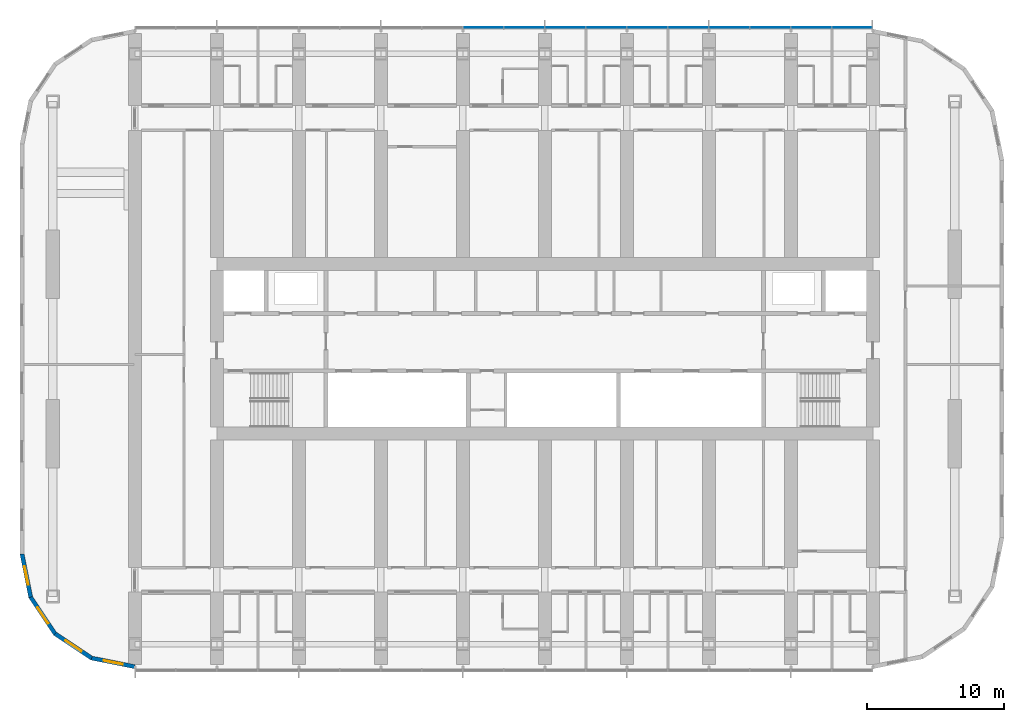
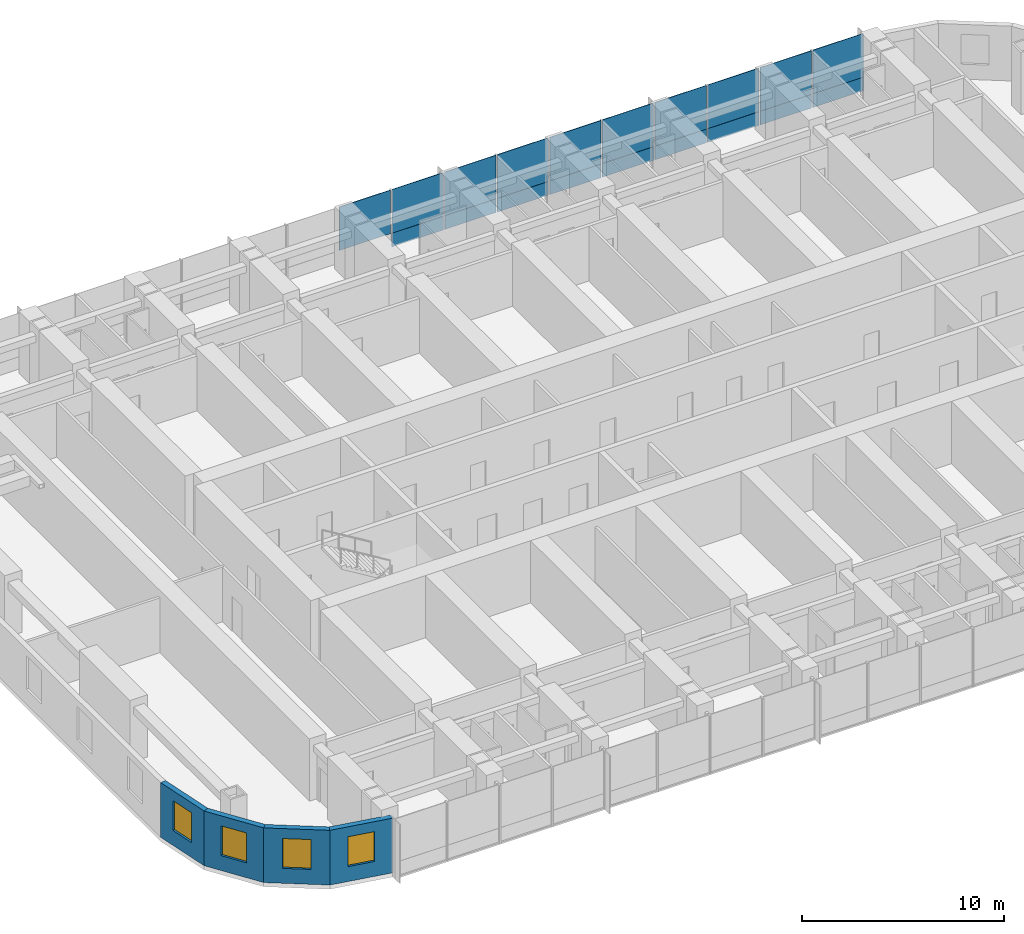
# One storey, part 7 of 21: 19 plates, 4 walls, 4 windows, 4 openings, 1 element without a shape of its own.
"""IFC4 building model written with IfcOpenShell, lengths in metres."""

from ifc_helpers import new_model, si_unit, direction, frame, frame_2d, origin, origin_2d, place, context, subcontext, project, spatial, polyline, rectangle, outline, extrude, material, layer, layer_set, type_object, element, fill, aggregate, save


model = new_model("IFC4")

# Units and contexts
model_context = context("Model", 3, precision=1e-05, world=origin(), true_north=direction((0.0, 1.0)))
body_context = subcontext(model_context, "Body", "Model", "MODEL_VIEW")
ifc_project = project(units=[si_unit("LENGTHUNIT", "METRE"), si_unit("AREAUNIT", "SQUARE_METRE"), si_unit("VOLUMEUNIT", "CUBIC_METRE"), si_unit("PLANEANGLEUNIT", "RADIAN"), si_unit("MASSUNIT", "GRAM", prefix="KILO")], contexts=[model_context])

# Site, building, storey
site_placement = place(None, origin())
site = spatial("IfcSite", under=ifc_project, at=site_placement, CompositionType="ELEMENT")
building_placement = place(site_placement, origin())
building = spatial("IfcBuilding", under=site, at=building_placement, Name="Orbita Commons", CompositionType="ELEMENT")
storey_placement = place(building_placement, frame((0.0, 0.0, 110.64990234375)))
storey = spatial("IfcBuildingStorey", under=building, at=storey_placement, Name="L27", CompositionType="ELEMENT", Elevation=110.64990234375)

# Curtain wall, plates
ifc_material_1 = material(Name="Anodised aluminium frame, pale silver", Category="aluminium")
curtain_wall_type = type_object("IfcCurtainWallType", Name="Unitised curtain wall CW-T, vision and spandrel", PredefinedType="NOTDEFINED", material=ifc_material_1)
curtain_wall_placement = place(storey_placement, origin())
curtain_wall = element("IfcCurtainWall", 1, at=curtain_wall_placement, inside=storey, type_object=curtain_wall_type, Name="Curtain wall north L27", PredefinedType="NOTDEFINED")
ifc_material_2 = material(Name="Anodised aluminium sheet on mineral wool", Category="aluminium")
ifc_layer_1 = layer(ifc_material_2, 0.050048828125)
ifc_layer_set_1 = layer_set([ifc_layer_1], Name="Anodised aluminium sheet on mineral wool")
plate_type_1 = type_object("IfcPlateType", Name="Spandrel panel, pale aluminium over insulation 50", PredefinedType="CURTAIN_PANEL", material=ifc_layer_set_1)
plate_1_placement = place(storey_placement, frame((64.47998046875, 55.510009765625, -0.14990234375), z_axis=(0.0, 0.0, 1.0), x_axis=(-1.0, 0.0, 0.0)))
plate_1 = element("IfcPlate", 2, at=plate_1_placement, type_object=plate_type_1, Name="Panel 1.1 CW-L27-N", PredefinedType="CURTAIN_PANEL", context=body_context, shape_type="SweptSolid", body=[
    extrude(rectangle(XDim=2.8798828125, YDim=0.050048828125, at=origin_2d()), origin(), (0.0, 0.0, 1.0), 0.822998046875),
])
plate_2_placement = place(storey_placement, frame((61.5, 55.510009765625, -0.14990234375), z_axis=(0.0, 0.0, 1.0), x_axis=(-1.0, 0.0, 0.0)))
plate_2 = element("IfcPlate", 3, at=plate_2_placement, type_object=plate_type_1, Name="Panel 2.1 CW-L27-N", PredefinedType="CURTAIN_PANEL", context=body_context, shape_type="SweptSolid", body=[
    extrude(rectangle(XDim=2.919921875, YDim=0.050048828125, at=origin_2d()), origin(), (0.0, 0.0, 1.0), 0.822998046875),
])
plate_3_placement = place(storey_placement, frame((58.5, 55.510009765625, -0.14990234375), z_axis=(0.0, 0.0, 1.0), x_axis=(-1.0, 0.0, 0.0)))
plate_3 = element("IfcPlate", 4, at=plate_3_placement, type_object=plate_type_1, Name="Panel 3.1 CW-L27-N", PredefinedType="CURTAIN_PANEL", context=body_context, shape_type="SweptSolid", body=[
    extrude(rectangle(XDim=2.919921875, YDim=0.050048828125, at=origin_2d()), origin(), (0.0, 0.0, 1.0), 0.822998046875),
])
plate_4_placement = place(storey_placement, frame((55.5, 55.510009765625, -0.14990234375), z_axis=(0.0, 0.0, 1.0), x_axis=(-1.0, 0.0, 0.0)))
plate_4 = element("IfcPlate", 5, at=plate_4_placement, type_object=plate_type_1, Name="Panel 4.1 CW-L27-N", PredefinedType="CURTAIN_PANEL", context=body_context, shape_type="SweptSolid", body=[
    extrude(rectangle(XDim=2.919921875, YDim=0.050048828125, at=origin_2d()), origin(), (0.0, 0.0, 1.0), 0.822998046875),
])
plate_5_placement = place(storey_placement, frame((52.5, 55.510009765625, -0.14990234375), z_axis=(0.0, 0.0, 1.0), x_axis=(-1.0, 0.0, 0.0)))
plate_5 = element("IfcPlate", 6, at=plate_5_placement, type_object=plate_type_1, Name="Panel 5.1 CW-L27-N", PredefinedType="CURTAIN_PANEL", context=body_context, shape_type="SweptSolid", body=[
    extrude(rectangle(XDim=2.919921875, YDim=0.050048828125, at=origin_2d()), origin(), (0.0, 0.0, 1.0), 0.822998046875),
])
plate_6_placement = place(storey_placement, frame((49.5, 55.510009765625, -0.14990234375), z_axis=(0.0, 0.0, 1.0), x_axis=(-1.0, 0.0, 0.0)))
plate_6 = element("IfcPlate", 7, at=plate_6_placement, type_object=plate_type_1, Name="Panel 6.1 CW-L27-N", PredefinedType="CURTAIN_PANEL", context=body_context, shape_type="SweptSolid", body=[
    extrude(rectangle(XDim=2.919921875, YDim=0.050048828125, at=origin_2d()), origin(), (0.0, 0.0, 1.0), 0.822998046875),
])
plate_7_placement = place(storey_placement, frame((46.5, 55.510009765625, -0.14990234375), z_axis=(0.0, 0.0, 1.0), x_axis=(-1.0, 0.0, 0.0)))
plate_7 = element("IfcPlate", 8, at=plate_7_placement, type_object=plate_type_1, Name="Panel 7.1 CW-L27-N", PredefinedType="CURTAIN_PANEL", context=body_context, shape_type="SweptSolid", body=[
    extrude(rectangle(XDim=2.919921875, YDim=0.050048828125, at=origin_2d()), origin(), (0.0, 0.0, 1.0), 0.822998046875),
])
plate_8_placement = place(storey_placement, frame((43.5, 55.510009765625, -0.14990234375), z_axis=(0.0, 0.0, 1.0), x_axis=(-1.0, 0.0, 0.0)))
plate_8 = element("IfcPlate", 9, at=plate_8_placement, type_object=plate_type_1, Name="Panel 8.1 CW-L27-N", PredefinedType="CURTAIN_PANEL", context=body_context, shape_type="SweptSolid", body=[
    extrude(rectangle(XDim=2.919921875, YDim=0.050048828125, at=origin_2d()), origin(), (0.0, 0.0, 1.0), 0.822998046875),
])
plate_9_placement = place(storey_placement, frame((40.5, 55.510009765625, -0.14990234375), z_axis=(0.0, 0.0, 1.0), x_axis=(-1.0, 0.0, 0.0)))
plate_9 = element("IfcPlate", 10, at=plate_9_placement, type_object=plate_type_1, Name="Panel 9.1 CW-L27-N", PredefinedType="CURTAIN_PANEL", context=body_context, shape_type="SweptSolid", body=[
    extrude(rectangle(XDim=2.919921875, YDim=0.050048828125, at=origin_2d()), origin(), (0.0, 0.0, 1.0), 0.822998046875),
])
ifc_material_3 = material(Name="Clear double glazing", Category="glass")
ifc_layer_2 = layer(ifc_material_3, 0.031982421875)
ifc_layer_set_2 = layer_set([ifc_layer_2], Name="Clear double glazing")
plate_type_2 = type_object("IfcPlateType", Name="Vision panel, clear double glazing 32", PredefinedType="CURTAIN_PANEL", material=ifc_layer_set_2)
plate_10_placement = place(storey_placement, frame((64.47998046875, 55.510009765625, 0.673095703125), z_axis=(0.0, 0.0, 1.0), x_axis=(-1.0, 0.0, 0.0)))
plate_10 = element("IfcPlate", 11, at=plate_10_placement, type_object=plate_type_2, Name="Panel 1.2 CW-L27-N", PredefinedType="CURTAIN_PANEL", context=body_context, shape_type="SweptSolid", body=[
    extrude(rectangle(XDim=2.8798828125, YDim=0.031982421875, at=origin_2d()), origin(), (0.0, 0.0, 1.0), 2.626953125),
])
plate_11_placement = place(storey_placement, frame((61.5, 55.510009765625, 0.673095703125), z_axis=(0.0, 0.0, 1.0), x_axis=(-1.0, 0.0, 0.0)))
plate_11 = element("IfcPlate", 12, at=plate_11_placement, type_object=plate_type_2, Name="Panel 2.2 CW-L27-N", PredefinedType="CURTAIN_PANEL", context=body_context, shape_type="SweptSolid", body=[
    extrude(rectangle(XDim=2.919921875, YDim=0.031982421875, at=origin_2d()), origin(), (0.0, 0.0, 1.0), 2.626953125),
])
plate_12_placement = place(storey_placement, frame((58.5, 55.510009765625, 0.673095703125), z_axis=(0.0, 0.0, 1.0), x_axis=(-1.0, 0.0, 0.0)))
plate_12 = element("IfcPlate", 13, at=plate_12_placement, type_object=plate_type_2, Name="Panel 3.2 CW-L27-N", PredefinedType="CURTAIN_PANEL", context=body_context, shape_type="SweptSolid", body=[
    extrude(rectangle(XDim=2.919921875, YDim=0.031982421875, at=origin_2d()), origin(), (0.0, 0.0, 1.0), 2.626953125),
])
plate_13_placement = place(storey_placement, frame((55.5, 55.510009765625, 0.673095703125), z_axis=(0.0, 0.0, 1.0), x_axis=(-1.0, 0.0, 0.0)))
plate_13 = element("IfcPlate", 14, at=plate_13_placement, type_object=plate_type_2, Name="Panel 4.2 CW-L27-N", PredefinedType="CURTAIN_PANEL", context=body_context, shape_type="SweptSolid", body=[
    extrude(rectangle(XDim=2.919921875, YDim=0.031982421875, at=origin_2d()), origin(), (0.0, 0.0, 1.0), 2.626953125),
])
plate_14_placement = place(storey_placement, frame((52.5, 55.510009765625, 0.673095703125), z_axis=(0.0, 0.0, 1.0), x_axis=(-1.0, 0.0, 0.0)))
plate_14 = element("IfcPlate", 15, at=plate_14_placement, type_object=plate_type_2, Name="Panel 5.2 CW-L27-N", PredefinedType="CURTAIN_PANEL", context=body_context, shape_type="SweptSolid", body=[
    extrude(rectangle(XDim=2.919921875, YDim=0.031982421875, at=origin_2d()), origin(), (0.0, 0.0, 1.0), 2.626953125),
])
plate_15_placement = place(storey_placement, frame((49.5, 55.510009765625, 0.673095703125), z_axis=(0.0, 0.0, 1.0), x_axis=(-1.0, 0.0, 0.0)))
plate_15 = element("IfcPlate", 16, at=plate_15_placement, type_object=plate_type_2, Name="Panel 6.2 CW-L27-N", PredefinedType="CURTAIN_PANEL", context=body_context, shape_type="SweptSolid", body=[
    extrude(rectangle(XDim=2.919921875, YDim=0.031982421875, at=origin_2d()), origin(), (0.0, 0.0, 1.0), 2.626953125),
])
plate_16_placement = place(storey_placement, frame((46.5, 55.510009765625, 0.673095703125), z_axis=(0.0, 0.0, 1.0), x_axis=(-1.0, 0.0, 0.0)))
plate_16 = element("IfcPlate", 17, at=plate_16_placement, type_object=plate_type_2, Name="Panel 7.2 CW-L27-N", PredefinedType="CURTAIN_PANEL", context=body_context, shape_type="SweptSolid", body=[
    extrude(rectangle(XDim=2.919921875, YDim=0.031982421875, at=origin_2d()), origin(), (0.0, 0.0, 1.0), 2.626953125),
])
plate_17_placement = place(storey_placement, frame((43.5, 55.510009765625, 0.673095703125), z_axis=(0.0, 0.0, 1.0), x_axis=(-1.0, 0.0, 0.0)))
plate_17 = element("IfcPlate", 18, at=plate_17_placement, type_object=plate_type_2, Name="Panel 8.2 CW-L27-N", PredefinedType="CURTAIN_PANEL", context=body_context, shape_type="SweptSolid", body=[
    extrude(rectangle(XDim=2.919921875, YDim=0.031982421875, at=origin_2d()), origin(), (0.0, 0.0, 1.0), 2.626953125),
])
plate_18_placement = place(storey_placement, frame((40.5, 55.510009765625, 0.673095703125), z_axis=(0.0, 0.0, 1.0), x_axis=(-1.0, 0.0, 0.0)))
plate_18 = element("IfcPlate", 19, at=plate_18_placement, type_object=plate_type_2, Name="Panel 9.2 CW-L27-N", PredefinedType="CURTAIN_PANEL", context=body_context, shape_type="SweptSolid", body=[
    extrude(rectangle(XDim=2.919921875, YDim=0.031982421875, at=origin_2d()), origin(), (0.0, 0.0, 1.0), 2.626953125),
])
plate_19_placement = place(storey_placement, frame((37.5, 55.510009765625, 0.673095703125), z_axis=(0.0, 0.0, 1.0), x_axis=(-1.0, 0.0, 0.0)))
plate_19 = element("IfcPlate", 20, at=plate_19_placement, type_object=plate_type_2, Name="Panel 10.2 CW-L27-N", PredefinedType="CURTAIN_PANEL", context=body_context, shape_type="SweptSolid", body=[
    extrude(rectangle(XDim=2.919921875, YDim=0.031982421875, at=origin_2d()), origin(), (0.0, 0.0, 1.0), 2.626953125),
])
aggregate(curtain_wall, [plate_1, plate_10, plate_2, plate_11, plate_3, plate_12, plate_4, plate_13, plate_5, plate_14, plate_6, plate_15, plate_7, plate_16, plate_8, plate_17, plate_9, plate_18, plate_19])

# Wall, opening, window
ifc_material_4 = material(Name="Precast concrete C40/50, white board-marked finish", Category="concrete")
ifc_layer_3 = layer(ifc_material_4, 0.300048828125)
ifc_layer_set_3 = layer_set([ifc_layer_3], Name="Precast concrete C40/50, white board-marked finish")
wall_type = type_object("IfcWallType", Name="Precast concrete end shield 300", PredefinedType="SOLIDWALL", material=ifc_layer_set_3)
wall_1_placement = place(storey_placement, frame((3.75, 17.0, 0.0), z_axis=(0.0, 0.0, 1.0), x_axis=(0.195080412259, -0.980787251524, 0.0)))
wall_1 = element("IfcWall", 21, at=wall_1_placement, inside=storey, type_object=wall_type, Name="End shield SW chord 1 L27", PredefinedType="SOLIDWALL", context=body_context, shape_type="SweptSolid", body=[
    extrude(outline(polyline([(-0.014892578125, -0.14990234375), (3.24853515625, -0.14990234375), (3.18896484375, 0.14990234375), (0.014892578125, 0.14990234375), (-0.014892578125, -0.14990234375)])), origin(), (0.0, 0.0, 1.0), 3.300048828125),
])
opening_1_placement = place(wall_1_placement, frame((0.909423828125, 0.0, 0.89990234375)))
opening_1 = element("IfcOpeningElement", 22, at=opening_1_placement, cuts=wall_1, Name="Opening W02", PredefinedType="OPENING", context=body_context, shape_type="SweptSolid", body=[
    extrude(rectangle(XDim=1.39990234375, YDim=1.800048828125, at=frame_2d((0.699951171875, 0.89990234375))), frame((0.0, 0.159912109375, 0.0), z_axis=(0.0, -1.0, 0.0), x_axis=(1.0, 0.0, 0.0)), (0.0, 0.0, 1.0), 0.320068359375),
])
ifc_material_5 = material(Name="Aluminium frame, clear double glazing", Category="aluminium")
window_type = type_object("IfcWindowType", Name="Deep-set window 1400x1800", PartitioningType="SINGLE_PANEL", PredefinedType="WINDOW", material=ifc_material_5)
window_1_placement = place(opening_1_placement, origin())
window_1 = element("IfcWindow", 23, at=window_1_placement, inside=storey, type_object=window_type, Name="Window L27-SW0", OverallHeight=1.800048828125, OverallWidth=1.39990234375, PartitioningType="SINGLE_PANEL", PredefinedType="WINDOW", context=body_context, shape_type="SweptSolid", body=[
    extrude(rectangle(XDim=1.39990234375, YDim=1.800048828125, at=frame_2d((0.699951171875, 0.89990234375))), frame((0.0, 0.030029296875, 0.0), z_axis=(0.0, -1.0, 0.0), x_axis=(1.0, 0.0, 0.0)), (0.0, 0.0, 1.0), 0.06005859375),
])
fill(opening_1, window_1)

wall_2_placement = place(storey_placement, frame((4.3779296875, 13.843017578125, 0.0), z_axis=(0.0, 0.0, 1.0), x_axis=(0.555609954424, -0.831443069936, 0.0)))
wall_2 = element("IfcWall", 24, at=wall_2_placement, inside=storey, type_object=wall_type, Name="End shield SW chord 2 L27", PredefinedType="SOLIDWALL", context=body_context, shape_type="SweptSolid", body=[
    extrude(outline(polyline([(-0.02978515625, -0.14990234375), (3.2490234375, -0.14990234375), (3.189453125, 0.14990234375), (0.02978515625, 0.14990234375), (-0.02978515625, -0.14990234375)])), origin(), (0.0, 0.0, 1.0), 3.300048828125),
])
opening_2_placement = place(wall_2_placement, frame((0.909423828125, 0.0, 0.89990234375)))
opening_2 = element("IfcOpeningElement", 25, at=opening_2_placement, cuts=wall_2, Name="Opening W02", PredefinedType="OPENING", context=body_context, shape_type="SweptSolid", body=[
    extrude(rectangle(XDim=1.39990234375, YDim=1.800048828125, at=frame_2d((0.699951171875, 0.89990234375))), frame((0.0, 0.159912109375, 0.0), z_axis=(0.0, -1.0, 0.0), x_axis=(1.0, 0.0, 0.0)), (0.0, 0.0, 1.0), 0.320068359375),
])
window_2_placement = place(opening_2_placement, origin())
window_2 = element("IfcWindow", 26, at=window_2_placement, inside=storey, type_object=window_type, Name="Window L27-SW1", OverallHeight=1.800048828125, OverallWidth=1.39990234375, PartitioningType="SINGLE_PANEL", PredefinedType="WINDOW", context=body_context, shape_type="SweptSolid", body=[
    extrude(rectangle(XDim=1.39990234375, YDim=1.800048828125, at=frame_2d((0.699951171875, 0.89990234375))), frame((0.0, 0.030029296875, 0.0), z_axis=(0.0, -1.0, 0.0), x_axis=(1.0, 0.0, 0.0)), (0.0, 0.0, 1.0), 0.06005859375),
])
fill(opening_2, window_2)

wall_3_placement = place(storey_placement, frame((6.16650390625, 11.16650390625, 0.0), z_axis=(0.0, 0.0, 1.0), x_axis=(0.831443069936, -0.555609954424, 0.0)))
wall_3 = element("IfcWall", 27, at=wall_3_placement, inside=storey, type_object=wall_type, Name="End shield SW chord 3 L27", PredefinedType="SOLIDWALL", context=body_context, shape_type="SweptSolid", body=[
    extrude(outline(polyline([(-0.02978515625, -0.14990234375), (3.2490234375, -0.14990234375), (3.189453125, 0.14990234375), (0.02978515625, 0.14990234375), (-0.02978515625, -0.14990234375)])), origin(), (0.0, 0.0, 1.0), 3.300048828125),
])
opening_3_placement = place(wall_3_placement, frame((0.909423828125, 0.0, 0.89990234375)))
opening_3 = element("IfcOpeningElement", 28, at=opening_3_placement, cuts=wall_3, Name="Opening W02", PredefinedType="OPENING", context=body_context, shape_type="SweptSolid", body=[
    extrude(rectangle(XDim=1.39990234375, YDim=1.800048828125, at=frame_2d((0.699951171875, 0.89990234375))), frame((0.0, 0.159912109375, 0.0), z_axis=(0.0, -1.0, 0.0), x_axis=(1.0, 0.0, 0.0)), (0.0, 0.0, 1.0), 0.320068359375),
])
window_3_placement = place(opening_3_placement, origin())
window_3 = element("IfcWindow", 29, at=window_3_placement, inside=storey, type_object=window_type, Name="Window L27-SW2", OverallHeight=1.800048828125, OverallWidth=1.39990234375, PartitioningType="SINGLE_PANEL", PredefinedType="WINDOW", context=body_context, shape_type="SweptSolid", body=[
    extrude(rectangle(XDim=1.39990234375, YDim=1.800048828125, at=frame_2d((0.699951171875, 0.89990234375))), frame((0.0, 0.030029296875, 0.0), z_axis=(0.0, -1.0, 0.0), x_axis=(1.0, 0.0, 0.0)), (0.0, 0.0, 1.0), 0.06005859375),
])
fill(opening_3, window_3)

wall_4_placement = place(storey_placement, frame((8.843017578125, 9.3779296875, 0.0), z_axis=(0.0, 0.0, 1.0), x_axis=(0.980787251524, -0.195080412259, 0.0)))
wall_4 = element("IfcWall", 30, at=wall_4_placement, inside=storey, type_object=wall_type, Name="End shield SW chord 4 L27", PredefinedType="SOLIDWALL", context=body_context, shape_type="SweptSolid", body=[
    extrude(outline(polyline([(-0.02978515625, -0.14990234375), (3.24853515625, -0.14990234375), (3.18896484375, 0.14990234375), (0.02978515625, 0.14990234375), (-0.02978515625, -0.14990234375)])), origin(), (0.0, 0.0, 1.0), 3.300048828125),
])
opening_4_placement = place(wall_4_placement, frame((0.909423828125, 0.0, 0.89990234375)))
opening_4 = element("IfcOpeningElement", 31, at=opening_4_placement, cuts=wall_4, Name="Opening W02", PredefinedType="OPENING", context=body_context, shape_type="SweptSolid", body=[
    extrude(rectangle(XDim=1.39990234375, YDim=1.800048828125, at=frame_2d((0.699951171875, 0.89990234375))), frame((0.0, 0.159912109375, 0.0), z_axis=(0.0, -1.0, 0.0), x_axis=(1.0, 0.0, 0.0)), (0.0, 0.0, 1.0), 0.320068359375),
])
window_4_placement = place(opening_4_placement, origin())
window_4 = element("IfcWindow", 32, at=window_4_placement, inside=storey, type_object=window_type, Name="Window L27-SW3", OverallHeight=1.800048828125, OverallWidth=1.39990234375, PartitioningType="SINGLE_PANEL", PredefinedType="WINDOW", context=body_context, shape_type="SweptSolid", body=[
    extrude(rectangle(XDim=1.39990234375, YDim=1.800048828125, at=frame_2d((0.699951171875, 0.89990234375))), frame((0.0, 0.030029296875, 0.0), z_axis=(0.0, -1.0, 0.0), x_axis=(1.0, 0.0, 0.0)), (0.0, 0.0, 1.0), 0.06005859375),
])
fill(opening_4, window_4)

save(model, "model.ifc")
